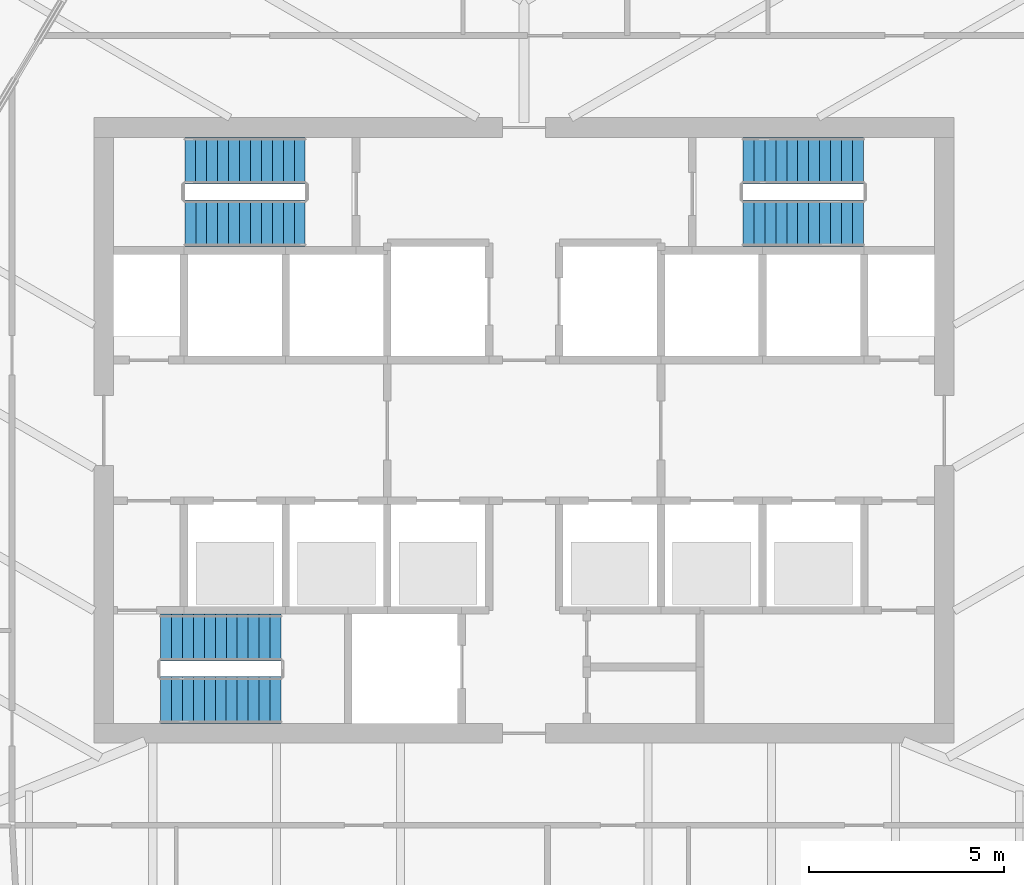
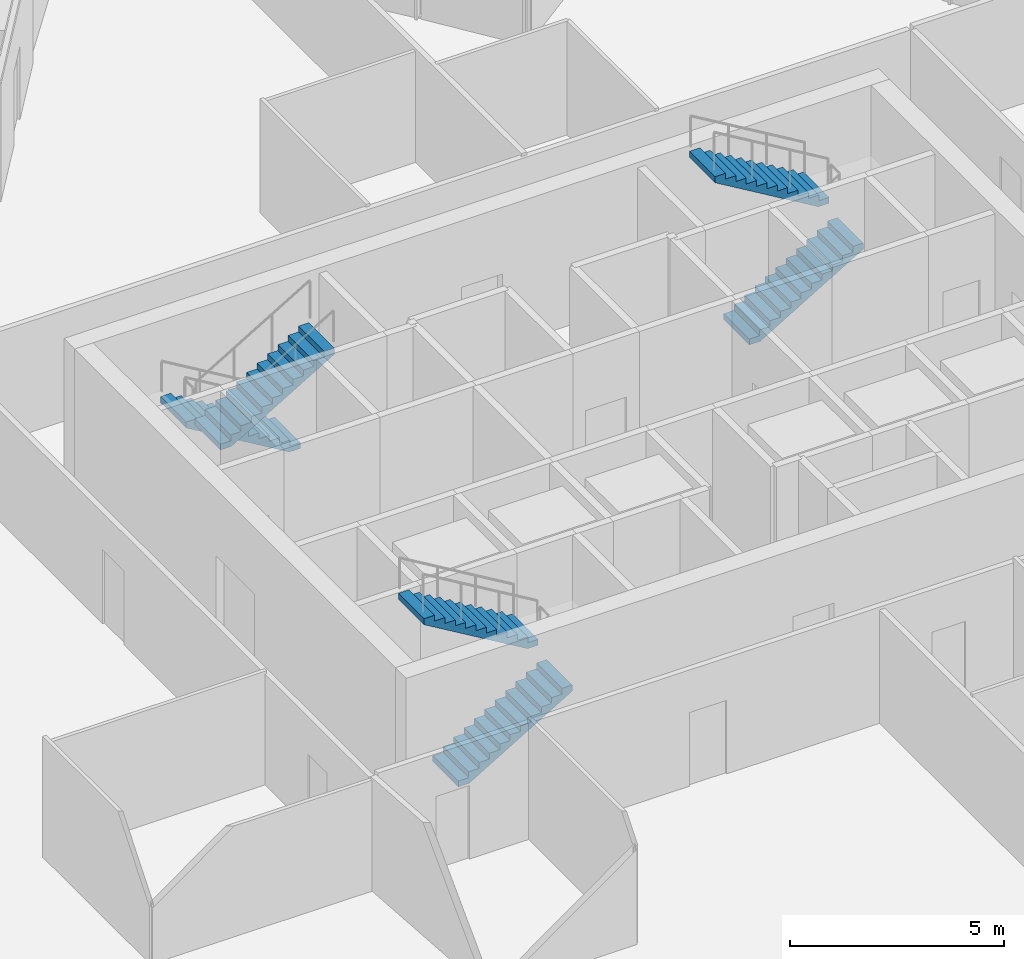
# One storey, part 14 of 19: 6 stair flights, 3 elements without a shape of their own.
"""IFC4 building model written with IfcOpenShell, lengths in metres."""

from ifc_helpers import new_model, si_unit, direction, frame, origin, place, context, subcontext, project, spatial, polyline, outline, extrude, material, type_object, element, aggregate, save


model = new_model("IFC4")

# Units and contexts
model_context = context("Model", 3, precision=1e-05, world=origin(), true_north=direction((0.0, 1.0)))
body_context = subcontext(model_context, "Body", "Model", "MODEL_VIEW")
ifc_project = project(units=[si_unit("LENGTHUNIT", "METRE"), si_unit("AREAUNIT", "SQUARE_METRE"), si_unit("VOLUMEUNIT", "CUBIC_METRE"), si_unit("PLANEANGLEUNIT", "RADIAN"), si_unit("MASSUNIT", "GRAM", prefix="KILO")], contexts=[model_context])

# Site, building, storey
site_placement = place(None, origin())
site = spatial("IfcSite", under=ifc_project, at=site_placement, CompositionType="ELEMENT")
building_placement = place(site_placement, origin())
building = spatial("IfcBuilding", under=site, at=building_placement, Name="Sierra Prisma Convention Tower", CompositionType="ELEMENT")
storey_placement = place(building_placement, frame((0.0, 0.0, 173.800048828125)))
storey = spatial("IfcBuildingStorey", under=building, at=storey_placement, Name="L38", CompositionType="ELEMENT", Elevation=173.800048828125)

# Stair, stair flights
ifc_material_1 = material(Name="Concrete C30/37", Category="concrete")
stair_type = type_object("IfcStairType", Name="Stair dog-leg 1200 RC", PredefinedType="HALF_TURN_STAIR", material=ifc_material_1)
stair_1_placement = place(storey_placement, origin())
stair_1 = element("IfcStair", 1, at=stair_1_placement, inside=storey, type_object=stair_type, Name="L38 S1", PredefinedType="HALF_TURN_STAIR")
ifc_material_2 = material(Name="Concrete C30/37", Category="concrete")
stair_flight_type = type_object("IfcStairFlightType", Name="Stair flight RC 1200", PredefinedType="STRAIGHT", material=ifc_material_2)
stair_flight_1_placement = place(storey_placement, frame((-9.300048828125, -6.89990234375, 0.0), z_axis=(0.0, 0.0, 1.0), x_axis=(1.0, 0.0, 0.0)))
stair_flight_1 = element("IfcStairFlight", 2, at=stair_flight_1_placement, type_object=stair_flight_type, Name="S1 flight 1", NumberOfRisers=12, NumberOfTreads=11, PredefinedType="STRAIGHT", RiserHeight=0.166666667, TreadLength=0.28, context=body_context, shape_type="SweptSolid", body=[
    extrude(outline(polyline([(0.0, 0.0), (0.0, 0.166748046875), (0.280029296875, 0.166748046875), (0.280029296875, 0.333251953125), (0.56005859375, 0.333251953125), (0.56005859375, 0.5), (0.840087890625, 0.5), (0.840087890625, 0.666748046875), (1.1201171875, 0.666748046875), (1.1201171875, 0.833251953125), (1.39990234375, 0.833251953125), (1.39990234375, 1.0), (1.679931640625, 1.0), (1.679931640625, 1.166748046875), (1.9599609375, 1.166748046875), (1.9599609375, 1.333251953125), (2.239990234375, 1.333251953125), (2.239990234375, 1.5), (2.52001953125, 1.5), (2.52001953125, 1.666748046875), (2.800048828125, 1.666748046875), (2.800048828125, 1.833251953125), (3.080078125, 1.833251953125), (3.080078125, 2.0), (3.080078125, 1.658935546875), (0.29296875, 0.0), (0.0, 0.0)])), frame((0.0, 0.60009765625, 0.0), z_axis=(0.0, -1.0, 0.0), x_axis=(1.0, 0.0, 0.0)), (0.0, 0.0, 1.0), 1.199951171875),
])
stair_flight_2_placement = place(storey_placement, frame((-6.219970703125, -5.300048828125, 2.0), z_axis=(0.0, 0.0, 1.0), x_axis=(-1.0, 0.0, 0.0)))
stair_flight_2 = element("IfcStairFlight", 3, at=stair_flight_2_placement, type_object=stair_flight_type, Name="S1 flight 2", NumberOfRisers=12, NumberOfTreads=11, PredefinedType="STRAIGHT", RiserHeight=0.166666667, TreadLength=0.28, context=body_context, shape_type="SweptSolid", body=[
    extrude(outline(polyline([(0.0, 0.0), (0.0, 0.166748046875), (0.280029296875, 0.166748046875), (0.280029296875, 0.333251953125), (0.56005859375, 0.333251953125), (0.56005859375, 0.5), (0.840087890625, 0.5), (0.840087890625, 0.666748046875), (1.1201171875, 0.666748046875), (1.1201171875, 0.833251953125), (1.39990234375, 0.833251953125), (1.39990234375, 1.0), (1.679931640625, 1.0), (1.679931640625, 1.166748046875), (1.9599609375, 1.166748046875), (1.9599609375, 1.333251953125), (2.239990234375, 1.333251953125), (2.239990234375, 1.5), (2.52001953125, 1.5), (2.52001953125, 1.666748046875), (2.800048828125, 1.666748046875), (2.800048828125, 1.833251953125), (3.080078125, 1.833251953125), (3.080078125, 2.0), (3.080078125, 1.658935546875), (0.29296875, 0.0), (0.0, 0.0)])), frame((0.0, 0.60009765625, 0.0), z_axis=(0.0, -1.0, 0.0), x_axis=(1.0, 0.0, 0.0)), (0.0, 0.0, 1.0), 1.199951171875),
])
aggregate(stair_1, [stair_flight_1, stair_flight_2])

stair_2_placement = place(storey_placement, origin())
stair_2 = element("IfcStair", 4, at=stair_2_placement, inside=storey, type_object=stair_type, Name="L38 S3", PredefinedType="HALF_TURN_STAIR")
stair_flight_3_placement = place(storey_placement, frame((-5.60009765625, 6.89990234375, 0.0), z_axis=(0.0, 0.0, 1.0), x_axis=(-1.0, 0.0, 0.0)))
stair_flight_3 = element("IfcStairFlight", 5, at=stair_flight_3_placement, type_object=stair_flight_type, Name="S3 flight 1", NumberOfRisers=12, NumberOfTreads=11, PredefinedType="STRAIGHT", RiserHeight=0.166666667, TreadLength=0.28, context=body_context, shape_type="SweptSolid", body=[
    extrude(outline(polyline([(0.0, 0.0), (0.0, 0.166748046875), (0.280029296875, 0.166748046875), (0.280029296875, 0.333251953125), (0.56005859375, 0.333251953125), (0.56005859375, 0.5), (0.840087890625, 0.5), (0.840087890625, 0.666748046875), (1.1201171875, 0.666748046875), (1.1201171875, 0.833251953125), (1.39990234375, 0.833251953125), (1.39990234375, 1.0), (1.679931640625, 1.0), (1.679931640625, 1.166748046875), (1.9599609375, 1.166748046875), (1.9599609375, 1.333251953125), (2.239990234375, 1.333251953125), (2.239990234375, 1.5), (2.52001953125, 1.5), (2.52001953125, 1.666748046875), (2.800048828125, 1.666748046875), (2.800048828125, 1.833251953125), (3.080078125, 1.833251953125), (3.080078125, 2.0), (3.080078125, 1.658935546875), (0.29296875, 0.0), (0.0, 0.0)])), frame((0.0, 0.60009765625, 0.0), z_axis=(0.0, -1.0, 0.0), x_axis=(1.0, 0.0, 0.0)), (0.0, 0.0, 1.0), 1.199951171875),
])
stair_flight_4_placement = place(storey_placement, frame((-8.679931640625, 5.300048828125, 2.0), z_axis=(0.0, 0.0, 1.0), x_axis=(1.0, 0.0, 0.0)))
stair_flight_4 = element("IfcStairFlight", 6, at=stair_flight_4_placement, type_object=stair_flight_type, Name="S3 flight 2", NumberOfRisers=12, NumberOfTreads=11, PredefinedType="STRAIGHT", RiserHeight=0.166666667, TreadLength=0.28, context=body_context, shape_type="SweptSolid", body=[
    extrude(outline(polyline([(0.0, 0.0), (0.0, 0.166748046875), (0.280029296875, 0.166748046875), (0.280029296875, 0.333251953125), (0.56005859375, 0.333251953125), (0.56005859375, 0.5), (0.840087890625, 0.5), (0.840087890625, 0.666748046875), (1.1201171875, 0.666748046875), (1.1201171875, 0.833251953125), (1.39990234375, 0.833251953125), (1.39990234375, 1.0), (1.679931640625, 1.0), (1.679931640625, 1.166748046875), (1.9599609375, 1.166748046875), (1.9599609375, 1.333251953125), (2.239990234375, 1.333251953125), (2.239990234375, 1.5), (2.52001953125, 1.5), (2.52001953125, 1.666748046875), (2.800048828125, 1.666748046875), (2.800048828125, 1.833251953125), (3.080078125, 1.833251953125), (3.080078125, 2.0), (3.080078125, 1.658935546875), (0.29296875, 0.0), (0.0, 0.0)])), frame((0.0, 0.60009765625, 0.0), z_axis=(0.0, -1.0, 0.0), x_axis=(1.0, 0.0, 0.0)), (0.0, 0.0, 1.0), 1.199951171875),
])
aggregate(stair_2, [stair_flight_3, stair_flight_4])

stair_3_placement = place(storey_placement, origin())
stair_3 = element("IfcStair", 7, at=stair_3_placement, inside=storey, type_object=stair_type, Name="L38 S4", PredefinedType="HALF_TURN_STAIR")
stair_flight_5_placement = place(storey_placement, frame((5.60009765625, 5.300048828125, 0.0), z_axis=(0.0, 0.0, 1.0), x_axis=(1.0, 0.0, 0.0)))
stair_flight_5 = element("IfcStairFlight", 8, at=stair_flight_5_placement, type_object=stair_flight_type, Name="S4 flight 1", NumberOfRisers=12, NumberOfTreads=11, PredefinedType="STRAIGHT", RiserHeight=0.166666667, TreadLength=0.28, context=body_context, shape_type="SweptSolid", body=[
    extrude(outline(polyline([(0.0, 0.0), (0.0, 0.166748046875), (0.280029296875, 0.166748046875), (0.280029296875, 0.333251953125), (0.56005859375, 0.333251953125), (0.56005859375, 0.5), (0.840087890625, 0.5), (0.840087890625, 0.666748046875), (1.1201171875, 0.666748046875), (1.1201171875, 0.833251953125), (1.39990234375, 0.833251953125), (1.39990234375, 1.0), (1.679931640625, 1.0), (1.679931640625, 1.166748046875), (1.9599609375, 1.166748046875), (1.9599609375, 1.333251953125), (2.239990234375, 1.333251953125), (2.239990234375, 1.5), (2.52001953125, 1.5), (2.52001953125, 1.666748046875), (2.800048828125, 1.666748046875), (2.800048828125, 1.833251953125), (3.080078125, 1.833251953125), (3.080078125, 2.0), (3.080078125, 1.658935546875), (0.29296875, 0.0), (0.0, 0.0)])), frame((0.0, 0.60009765625, 0.0), z_axis=(0.0, -1.0, 0.0), x_axis=(1.0, 0.0, 0.0)), (0.0, 0.0, 1.0), 1.199951171875),
])
stair_flight_6_placement = place(storey_placement, frame((8.679931640625, 6.89990234375, 2.0), z_axis=(0.0, 0.0, 1.0), x_axis=(-1.0, 0.0, 0.0)))
stair_flight_6 = element("IfcStairFlight", 9, at=stair_flight_6_placement, type_object=stair_flight_type, Name="S4 flight 2", NumberOfRisers=12, NumberOfTreads=11, PredefinedType="STRAIGHT", RiserHeight=0.166666667, TreadLength=0.28, context=body_context, shape_type="SweptSolid", body=[
    extrude(outline(polyline([(0.0, 0.0), (0.0, 0.166748046875), (0.280029296875, 0.166748046875), (0.280029296875, 0.333251953125), (0.56005859375, 0.333251953125), (0.56005859375, 0.5), (0.840087890625, 0.5), (0.840087890625, 0.666748046875), (1.1201171875, 0.666748046875), (1.1201171875, 0.833251953125), (1.39990234375, 0.833251953125), (1.39990234375, 1.0), (1.679931640625, 1.0), (1.679931640625, 1.166748046875), (1.9599609375, 1.166748046875), (1.9599609375, 1.333251953125), (2.239990234375, 1.333251953125), (2.239990234375, 1.5), (2.52001953125, 1.5), (2.52001953125, 1.666748046875), (2.800048828125, 1.666748046875), (2.800048828125, 1.833251953125), (3.080078125, 1.833251953125), (3.080078125, 2.0), (3.080078125, 1.658935546875), (0.29296875, 0.0), (0.0, 0.0)])), frame((0.0, 0.60009765625, 0.0), z_axis=(0.0, -1.0, 0.0), x_axis=(1.0, 0.0, 0.0)), (0.0, 0.0, 1.0), 1.199951171875),
])
aggregate(stair_3, [stair_flight_5, stair_flight_6])

save(model, "model.ifc")
